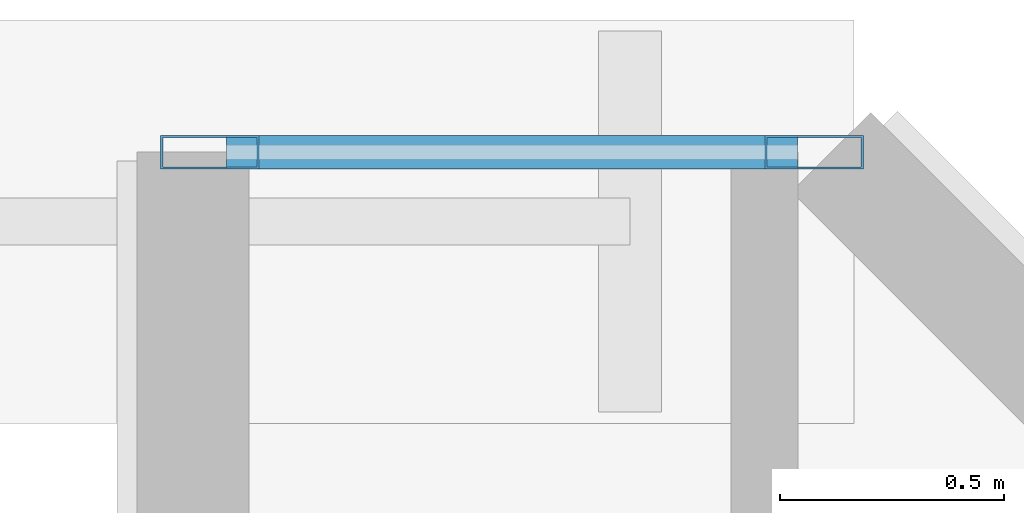
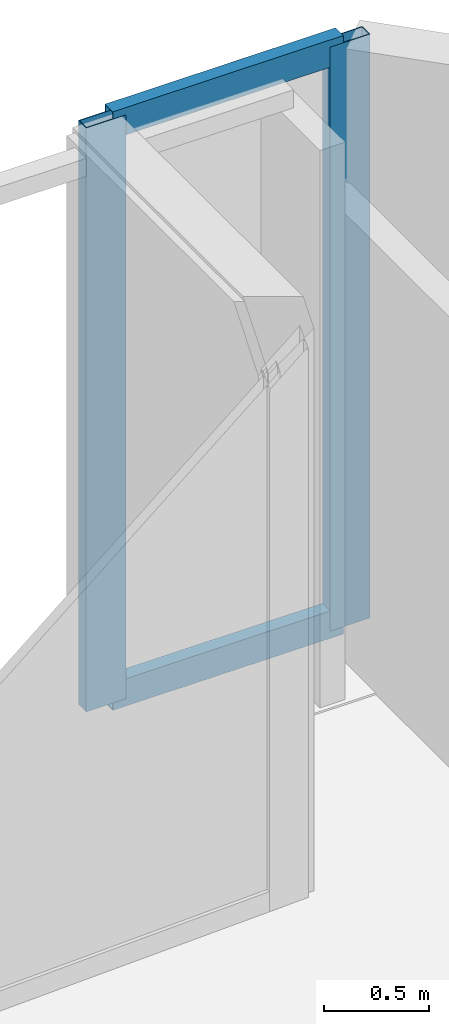
# One storey, part 17 of 29: 4 members, 1 element without a shape of its own.
"""IFC4 building model written with IfcOpenShell, lengths in metres."""

from ifc_helpers import new_model, si_unit, direction, frame, origin, origin_2d, place, context, subcontext, project, spatial, hollow_rectangle, extrude, material, layer, layer_set, material_profile, profile_set, type_object, element, aggregate, save


model = new_model("IFC4")

# Units and contexts
model_context = context("Model", 3, precision=1e-05, world=origin(), true_north=direction((0.0, 1.0)))
body_context = subcontext(model_context, "Body", "Model", "MODEL_VIEW")
ifc_project = project(units=[si_unit("LENGTHUNIT", "METRE"), si_unit("AREAUNIT", "SQUARE_METRE"), si_unit("VOLUMEUNIT", "CUBIC_METRE"), si_unit("PLANEANGLEUNIT", "RADIAN"), si_unit("MASSUNIT", "GRAM", prefix="KILO")], contexts=[model_context])

# Site, building, storey
site_placement = place(None, origin())
site = spatial("IfcSite", under=ifc_project, at=site_placement, CompositionType="ELEMENT")
building_placement = place(site_placement, origin())
building = spatial("IfcBuilding", under=site, at=building_placement, Name="Tanjung Sevakor Pilgrim Tower", CompositionType="ELEMENT")
storey_placement = place(building_placement, frame((0.0, 0.0, 162.030029296875)))
storey = spatial("IfcBuildingStorey", under=building, at=storey_placement, Name="L45", CompositionType="ELEMENT", Elevation=162.030029296875)

# Curtain wall, members
ifc_material_1 = material(Name="Aluminium 6063-T6 and Low-E Glass", Category="aluminium")
ifc_layer = layer(ifc_material_1, 0.199951171875)
ifc_layer_set = layer_set([ifc_layer], Name="CW-SYS-PRAY")
curtain_wall_type = type_object("IfcCurtainWallType", Name="CW-SYS-PRAY", PredefinedType="NOTDEFINED", material=ifc_layer_set)
curtain_wall_placement = place(storey_placement, origin())
curtain_wall = element("IfcCurtainWall", 1, at=curtain_wall_placement, inside=storey, type_object=curtain_wall_type, Name="L45 Curtain Wall CW-PRY-L45-18", PredefinedType="NOTDEFINED")
ifc_material_2 = material(Name="Aluminium 6063-T6", Category="aluminium")
ifc_material_profile_1 = material_profile(ifc_material_2, hollow_rectangle(XDim=0.074951171875, YDim=0.219970703125, WallThickness=0.0048828125, at=origin_2d()))
ifc_profile_set_1 = profile_set([ifc_material_profile_1], Name="Aluminium 6063-T6")
member_type_1 = type_object("IfcMemberType", Name="TYPE-CWM-2", PredefinedType="MULLION", material=ifc_profile_set_1)
member_1_placement = place(storey_placement, frame((95.710693359375, 55.175048828125, 0.0), z_axis=(0.0, 0.0, 1.0), x_axis=(0.0, -1.0, 0.0)))
member_1 = element("IfcMember", 2, at=member_1_placement, type_object=member_type_1, Name="CW-PRY mullion 1", PredefinedType="MULLION", context=body_context, shape_type="SweptSolid", body=[
    extrude(hollow_rectangle(XDim=0.074951171875, YDim=0.219970703125, WallThickness=0.0048828125, at=origin_2d()), origin(), (0.0, 0.0, 1.0), 3.409912109375),
])
member_2_placement = place(storey_placement, frame((94.362548828125, 55.175048828125, 0.0), z_axis=(0.0, 0.0, 1.0), x_axis=(0.0, -1.0, 0.0)))
member_2 = element("IfcMember", 3, at=member_2_placement, type_object=member_type_1, Name="CW-PRY mullion 2", PredefinedType="MULLION", context=body_context, shape_type="SweptSolid", body=[
    extrude(hollow_rectangle(XDim=0.074951171875, YDim=0.219970703125, WallThickness=0.0048828125, at=origin_2d()), origin(), (0.0, 0.0, 1.0), 3.409912109375),
])
ifc_material_3 = material(Name="Aluminium 6063-T6", Category="aluminium")
ifc_material_profile_2 = material_profile(ifc_material_3, hollow_rectangle(XDim=0.074951171875, YDim=0.159912109375, WallThickness=0.00439453125, at=origin_2d()))
ifc_profile_set_2 = profile_set([ifc_material_profile_2], Name="Aluminium 6063-T6")
member_type_2 = type_object("IfcMemberType", Name="TYPE-CWT-2", PredefinedType="USERDEFINED", material=ifc_profile_set_2)
member_3_placement = place(storey_placement, frame((95.673095703125, 55.175048828125, 0.037353515625), z_axis=(-1.0, 0.0, 0.0), x_axis=(0.0, -1.0, 0.0)))
member_3 = element("IfcMember", 4, at=member_3_placement, type_object=member_type_2, Name="CW-PRY transom 1.1", ObjectType="TRANSOM", PredefinedType="USERDEFINED", context=body_context, shape_type="SweptSolid", body=[
    extrude(hollow_rectangle(XDim=0.074951171875, YDim=0.159912109375, WallThickness=0.00439453125, at=origin_2d()), origin(), (0.0, 0.0, 1.0), 1.273193359375),
])
member_4_placement = place(storey_placement, frame((95.673095703125, 55.175048828125, 3.37255859375), z_axis=(-1.0, 0.0, 0.0), x_axis=(0.0, -1.0, 0.0)))
member_4 = element("IfcMember", 5, at=member_4_placement, type_object=member_type_2, Name="CW-PRY transom 1.2", ObjectType="TRANSOM", PredefinedType="USERDEFINED", context=body_context, shape_type="SweptSolid", body=[
    extrude(hollow_rectangle(XDim=0.074951171875, YDim=0.159912109375, WallThickness=0.00439453125, at=origin_2d()), origin(), (0.0, 0.0, 1.0), 1.273193359375),
])
aggregate(curtain_wall, [member_1, member_2, member_3, member_4])

save(model, "model.ifc")
